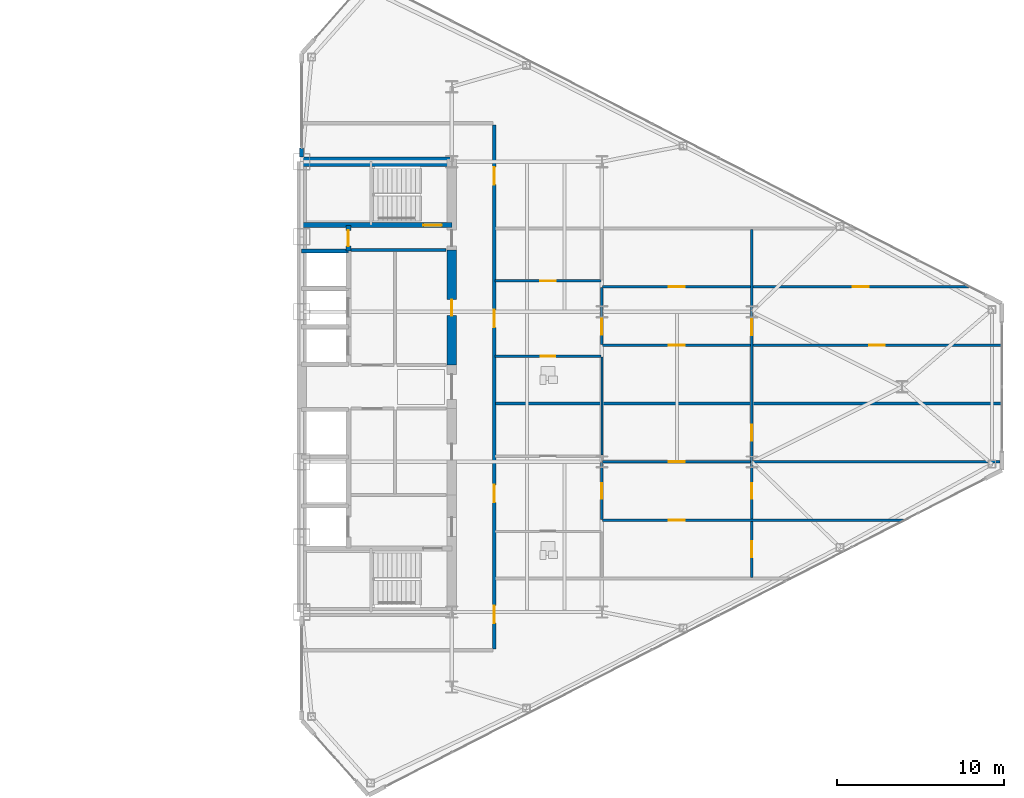
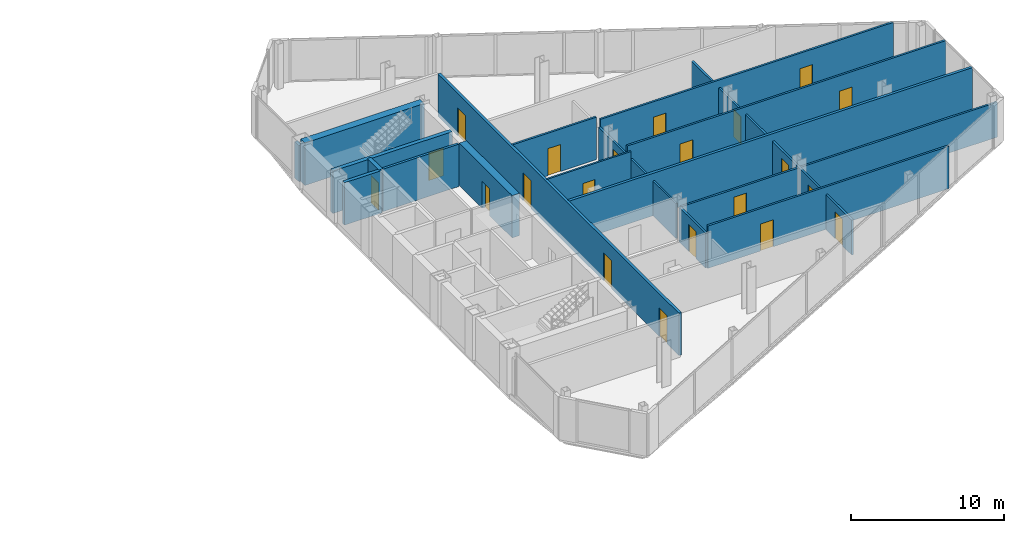
# One storey, part 20 of 24: 21 doors, 19 walls, 21 openings.
"""IFC4 building model written with IfcOpenShell, lengths in metres."""

from ifc_helpers import new_model, si_unit, direction, frame, frame_2d, origin, place, context, subcontext, project, spatial, rectangle, extrude, source, transform, mapped, material, layer, layer_set, type_object, type_shapes, element, fill, save


model = new_model("IFC4")

# Units and contexts
model_context = context("Model", 3, precision=1e-05, world=origin(), true_north=direction((0.0, 1.0)))
body_context = subcontext(model_context, "Body", "Model", "MODEL_VIEW")
ifc_project = project(units=[si_unit("LENGTHUNIT", "METRE"), si_unit("AREAUNIT", "SQUARE_METRE"), si_unit("VOLUMEUNIT", "CUBIC_METRE"), si_unit("PLANEANGLEUNIT", "RADIAN"), si_unit("MASSUNIT", "GRAM", prefix="KILO")], contexts=[model_context])

# Site, building, storey
site_placement = place(None, origin())
site = spatial("IfcSite", under=ifc_project, at=site_placement, CompositionType="ELEMENT")
building_placement = place(site_placement, origin())
building = spatial("IfcBuilding", under=site, at=building_placement, Name="Seokmaru Belvedere", CompositionType="ELEMENT")
storey_placement = place(building_placement, frame((0.0, 0.0, 140.39990234375)))
storey = spatial("IfcBuildingStorey", under=building, at=storey_placement, Name="L37", CompositionType="ELEMENT", Elevation=140.39990234375)

# Wall, opening, door
ifc_material_1 = material(Name="Fire-Rated Gypsum Shaftwall")
ifc_layer_1 = layer(ifc_material_1, 0.14990234375)
ifc_layer_set_1 = layer_set([ifc_layer_1], Name="Fire-Rated Gypsum Shaftwall")
wall_type_1 = type_object("IfcWallType", Name="Apartment Fire-Acoustic Room Partition 150", PredefinedType="PARTITIONING", material=ifc_layer_set_1)
wall_1_placement = place(storey_placement, frame((45.550048828125, -8.0, 0.0), z_axis=(0.0, 0.0, 1.0), x_axis=(1.0, 0.0, 0.0)))
wall_1 = element("IfcWall", 1, at=wall_1_placement, inside=storey, type_object=wall_type_1, Name="L37 Interior Partition 011", PredefinedType="PARTITIONING", context=body_context, shape_type="SweptSolid", body=[
    extrude(rectangle(XDim=18.138916015625, YDim=0.14990234375, at=frame_2d((9.0693359375, 0.0))), origin(), (0.0, 0.0, 1.0), 3.380126953125),
])
opening_1_placement = place(wall_1_placement, frame((3.97509765625, 0.0, 0.0)))
opening_1 = element("IfcOpeningElement", 2, at=opening_1_placement, cuts=wall_1, Name="Opening D05", PredefinedType="OPENING", context=body_context, shape_type="SweptSolid", body=[
    extrude(rectangle(XDim=0.949951171875, YDim=2.14990234375, at=frame_2d((0.47509765625, 1.074951171875))), frame((0.0, 0.0849609375, 0.0), z_axis=(0.0, -1.0, 0.0), x_axis=(1.0, 0.0, 0.0)), (0.0, 0.0, 1.0), 0.169921875),
])
ifc_material_2 = material(Name="Engineered White Oak Timber", Category="wood")
door_type_1 = type_object("IfcDoorType", Name="Apartment Interior Fire-Rated Oak Door 950x2150", OperationType="NOTDEFINED", PredefinedType="DOOR", material=ifc_material_2)
shared_shape_1 = source(origin(), body_context, "Body", "SweptSolid", [
    extrude(rectangle(XDim=0.949951171875, YDim=2.14990234375, at=frame_2d((0.47509765625, 1.074951171875))), frame((0.0, 0.02490234375, 0.0), z_axis=(0.0, -1.0, 0.0), x_axis=(1.0, 0.0, 0.0)), (0.0, 0.0, 1.0), 0.050048828125),
])
type_shapes(door_type_1, [shared_shape_1])
door_1_placement = place(opening_1_placement, origin())
door_1 = element("IfcDoor", 3, at=door_1_placement, inside=storey, type_object=door_type_1, Name="L37 Interior Door 042", OperationType="SINGLE_SWING_RIGHT", OverallHeight=2.14990234375, OverallWidth=0.949951171875, PredefinedType="DOOR", context=body_context, shape_type="MappedRepresentation", body=[
    mapped(shared_shape_1, transform((0.0, 0.0, 0.0), scale=1.0)),
])
fill(opening_1, door_1)

wall_2_placement = place(storey_placement, frame((45.550048828125, -4.5, 0.0), z_axis=(0.0, 0.0, 1.0), x_axis=(1.0, 0.0, 0.0)))
wall_2 = element("IfcWall", 4, at=wall_2_placement, inside=storey, type_object=wall_type_1, Name="L37 Interior Partition 013", PredefinedType="PARTITIONING", context=body_context, shape_type="SweptSolid", body=[
    extrude(rectangle(XDim=23.824951171875, YDim=0.14990234375, at=frame_2d((11.91259765625, 0.0))), origin(), (0.0, 0.0, 1.0), 2.780029296875),
])
opening_2_placement = place(wall_2_placement, frame((3.97509765625, 0.0, 0.0)))
opening_2 = element("IfcOpeningElement", 5, at=opening_2_placement, cuts=wall_2, Name="Opening D05", PredefinedType="OPENING", context=body_context, shape_type="SweptSolid", body=[
    extrude(rectangle(XDim=0.949951171875, YDim=2.14990234375, at=frame_2d((0.47509765625, 1.074951171875))), frame((0.0, 0.0849609375, 0.0), z_axis=(0.0, -1.0, 0.0), x_axis=(1.0, 0.0, 0.0)), (0.0, 0.0, 1.0), 0.169921875),
])
door_2_placement = place(opening_2_placement, origin())
door_2 = element("IfcDoor", 6, at=door_2_placement, inside=storey, type_object=door_type_1, Name="L37 Interior Door 043", OperationType="SINGLE_SWING_LEFT", OverallHeight=2.14990234375, OverallWidth=0.949951171875, PredefinedType="DOOR", context=body_context, shape_type="MappedRepresentation", body=[
    mapped(shared_shape_1, transform((0.0, 0.0, 0.0), scale=1.0)),
])
fill(opening_2, door_2)

# Wall, openings, doors
wall_3_placement = place(storey_placement, frame((45.550048828125, 2.5, 0.0), z_axis=(0.0, 0.0, 1.0), x_axis=(1.0, 0.0, 0.0)))
wall_3 = element("IfcWall", 7, at=wall_3_placement, inside=storey, type_object=wall_type_1, Name="L37 Interior Partition 020", PredefinedType="PARTITIONING", context=body_context, shape_type="SweptSolid", body=[
    extrude(rectangle(XDim=23.98486328125, YDim=0.14990234375, at=frame_2d((11.992431640625, 0.0))), origin(), (0.0, 0.0, 1.0), 3.380126953125),
])
opening_3_placement = place(wall_3_placement, frame((3.97509765625, 0.0, 0.0)))
opening_3 = element("IfcOpeningElement", 8, at=opening_3_placement, cuts=wall_3, Name="Opening D05", PredefinedType="OPENING", context=body_context, shape_type="SweptSolid", body=[
    extrude(rectangle(XDim=0.949951171875, YDim=2.14990234375, at=frame_2d((0.47509765625, 1.074951171875))), frame((0.0, 0.0849609375, 0.0), z_axis=(0.0, -1.0, 0.0), x_axis=(1.0, 0.0, 0.0)), (0.0, 0.0, 1.0), 0.169921875),
])
opening_4_placement = place(wall_3_placement, frame((15.97509765625, 0.0, 0.0)))
opening_4 = element("IfcOpeningElement", 9, at=opening_4_placement, cuts=wall_3, Name="Opening D05", PredefinedType="OPENING", context=body_context, shape_type="SweptSolid", body=[
    extrude(rectangle(XDim=0.949951171875, YDim=2.14990234375, at=frame_2d((0.47509765625, 1.074951171875))), frame((0.0, 0.0849609375, 0.0), z_axis=(0.0, -1.0, 0.0), x_axis=(1.0, 0.0, 0.0)), (0.0, 0.0, 1.0), 0.169921875),
])
door_3_placement = place(opening_3_placement, origin())
door_3 = element("IfcDoor", 10, at=door_3_placement, inside=storey, type_object=door_type_1, Name="L37 Interior Door 051", OperationType="SINGLE_SWING_RIGHT", OverallHeight=2.14990234375, OverallWidth=0.949951171875, PredefinedType="DOOR", context=body_context, shape_type="MappedRepresentation", body=[
    mapped(shared_shape_1, transform((0.0, 0.0, 0.0), scale=1.0)),
])
fill(opening_3, door_3)
door_4_placement = place(opening_4_placement, origin())
door_4 = element("IfcDoor", 11, at=door_4_placement, inside=storey, type_object=door_type_1, Name="L37 Interior Door 053", OperationType="SINGLE_SWING_LEFT", OverallHeight=2.14990234375, OverallWidth=0.949951171875, PredefinedType="DOOR", context=body_context, shape_type="MappedRepresentation", body=[
    mapped(shared_shape_1, transform((0.0, 0.0, 0.0), scale=1.0)),
])
fill(opening_4, door_4)

wall_4_placement = place(storey_placement, frame((45.550048828125, 6.0, 0.0), z_axis=(0.0, 0.0, 1.0), x_axis=(1.0, 0.0, 0.0)))
wall_4 = element("IfcWall", 12, at=wall_4_placement, inside=storey, type_object=wall_type_1, Name="L37 Interior Partition 023", PredefinedType="PARTITIONING", context=body_context, shape_type="SweptSolid", body=[
    extrude(rectangle(XDim=22.035888671875, YDim=0.14990234375, at=frame_2d((11.01806640625, 0.0))), origin(), (0.0, 0.0, 1.0), 3.380126953125),
])
opening_5_placement = place(wall_4_placement, frame((3.97509765625, 0.0, 0.0)))
opening_5 = element("IfcOpeningElement", 13, at=opening_5_placement, cuts=wall_4, Name="Opening D05", PredefinedType="OPENING", context=body_context, shape_type="SweptSolid", body=[
    extrude(rectangle(XDim=0.949951171875, YDim=2.14990234375, at=frame_2d((0.47509765625, 1.074951171875))), frame((0.0, 0.0849609375, 0.0), z_axis=(0.0, -1.0, 0.0), x_axis=(1.0, 0.0, 0.0)), (0.0, 0.0, 1.0), 0.169921875),
])
opening_6_placement = place(wall_4_placement, frame((15.000732421875, 0.0, 0.0)))
opening_6 = element("IfcOpeningElement", 14, at=opening_6_placement, cuts=wall_4, Name="Opening D05", PredefinedType="OPENING", context=body_context, shape_type="SweptSolid", body=[
    extrude(rectangle(XDim=0.949951171875, YDim=2.14990234375, at=frame_2d((0.47509765625, 1.074951171875))), frame((0.0, 0.0849609375, 0.0), z_axis=(0.0, -1.0, 0.0), x_axis=(1.0, 0.0, 0.0)), (0.0, 0.0, 1.0), 0.169921875),
])
door_5_placement = place(opening_5_placement, origin())
door_5 = element("IfcDoor", 15, at=door_5_placement, inside=storey, type_object=door_type_1, Name="L37 Interior Door 052", OperationType="SINGLE_SWING_LEFT", OverallHeight=2.14990234375, OverallWidth=0.949951171875, PredefinedType="DOOR", context=body_context, shape_type="MappedRepresentation", body=[
    mapped(shared_shape_1, transform((0.0, 0.0, 0.0), scale=1.0)),
])
fill(opening_5, door_5)
door_6_placement = place(opening_6_placement, origin())
door_6 = element("IfcDoor", 16, at=door_6_placement, inside=storey, type_object=door_type_1, Name="L37 Interior Door 054", OperationType="SINGLE_SWING_LEFT", OverallHeight=2.14990234375, OverallWidth=0.949951171875, PredefinedType="DOOR", context=body_context, shape_type="MappedRepresentation", body=[
    mapped(shared_shape_1, transform((0.0, 0.0, 0.0), scale=1.0)),
])
fill(opening_6, door_6)

# Wall, opening, door
wall_5_placement = place(storey_placement, frame((39.10009765625, 6.35009765625, 0.0), z_axis=(0.0, 0.0, 1.0), x_axis=(1.0, 0.0, 0.0)))
wall_5 = element("IfcWall", 17, at=wall_5_placement, inside=storey, type_object=wall_type_1, Name="L37 Interior Partition 024", PredefinedType="PARTITIONING", context=body_context, shape_type="SweptSolid", body=[
    extrude(rectangle(XDim=6.349853515625, YDim=0.14990234375, at=frame_2d((3.1748046875, 0.0))), origin(), (0.0, 0.0, 1.0), 3.380126953125),
])
opening_7_placement = place(wall_5_placement, frame((2.699951171875, 0.0, 0.0)))
opening_7 = element("IfcOpeningElement", 18, at=opening_7_placement, cuts=wall_5, Name="Opening D05", PredefinedType="OPENING", context=body_context, shape_type="SweptSolid", body=[
    extrude(rectangle(XDim=0.949951171875, YDim=2.14990234375, at=frame_2d((0.47509765625, 1.074951171875))), frame((0.0, 0.0849609375, 0.0), z_axis=(0.0, -1.0, 0.0), x_axis=(1.0, 0.0, 0.0)), (0.0, 0.0, 1.0), 0.169921875),
])
door_7_placement = place(opening_7_placement, origin())
door_7 = element("IfcDoor", 19, at=door_7_placement, inside=storey, type_object=door_type_1, Name="L37 Interior Door 048", OperationType="SINGLE_SWING_RIGHT", OverallHeight=2.14990234375, OverallWidth=0.949951171875, PredefinedType="DOOR", context=body_context, shape_type="MappedRepresentation", body=[
    mapped(shared_shape_1, transform((0.0, 0.0, 0.0), scale=1.0)),
])
fill(opening_7, door_7)

wall_6_placement = place(storey_placement, frame((45.5, -7.949951171875, 0.0), z_axis=(0.0, 0.0, 1.0), x_axis=(0.0, 1.0, 0.0)))
wall_6 = element("IfcWall", 20, at=wall_6_placement, inside=storey, type_object=wall_type_1, Name="L37 Interior Partition 045", PredefinedType="PARTITIONING", context=body_context, shape_type="SweptSolid", body=[
    extrude(rectangle(XDim=3.39990234375, YDim=0.14990234375, at=frame_2d((1.699951171875, 0.0))), origin(), (0.0, 0.0, 1.0), 2.780029296875),
])
opening_8_placement = place(wall_6_placement, frame((1.22509765625, 0.0, 0.0)))
opening_8 = element("IfcOpeningElement", 21, at=opening_8_placement, cuts=wall_6, Name="Opening D05", PredefinedType="OPENING", context=body_context, shape_type="SweptSolid", body=[
    extrude(rectangle(XDim=0.949951171875, YDim=2.14990234375, at=frame_2d((0.47509765625, 1.074951171875))), frame((0.0, 0.0849609375, 0.0), z_axis=(0.0, -1.0, 0.0), x_axis=(1.0, 0.0, 0.0)), (0.0, 0.0, 1.0), 0.169921875),
])
door_8_placement = place(opening_8_placement, origin())
door_8 = element("IfcDoor", 22, at=door_8_placement, inside=storey, type_object=door_type_1, Name="L37 Interior Door 040", OperationType="SINGLE_SWING_LEFT", OverallHeight=2.14990234375, OverallWidth=0.949951171875, PredefinedType="DOOR", context=body_context, shape_type="MappedRepresentation", body=[
    mapped(shared_shape_1, transform((0.0, 0.0, 0.0), scale=1.0)),
])
fill(opening_8, door_8)

wall_7_placement = place(storey_placement, frame((45.5, 2.550048828125, 0.0), z_axis=(0.0, 0.0, 1.0), x_axis=(0.0, 1.0, 0.0)))
wall_7 = element("IfcWall", 23, at=wall_7_placement, inside=storey, type_object=wall_type_1, Name="L37 Interior Partition 047", PredefinedType="PARTITIONING", context=body_context, shape_type="SweptSolid", body=[
    extrude(rectangle(XDim=3.39990234375, YDim=0.14990234375, at=frame_2d((1.699951171875, 0.0))), origin(), (0.0, 0.0, 1.0), 2.780029296875),
])
opening_9_placement = place(wall_7_placement, frame((0.5859375, 0.0, 0.0)))
opening_9 = element("IfcOpeningElement", 24, at=opening_9_placement, cuts=wall_7, Name="Opening D05", PredefinedType="OPENING", context=body_context, shape_type="SweptSolid", body=[
    extrude(rectangle(XDim=0.949951171875, YDim=2.14990234375, at=frame_2d((0.47509765625, 1.074951171875))), frame((0.0, 0.0849609375, 0.0), z_axis=(0.0, -1.0, 0.0), x_axis=(1.0, 0.0, 0.0)), (0.0, 0.0, 1.0), 0.169921875),
])
door_9_placement = place(opening_9_placement, origin())
door_9 = element("IfcDoor", 25, at=door_9_placement, inside=storey, type_object=door_type_1, Name="L37 Interior Door 049", OperationType="SINGLE_SWING_LEFT", OverallHeight=2.14990234375, OverallWidth=0.949951171875, PredefinedType="DOOR", context=body_context, shape_type="MappedRepresentation", body=[
    mapped(shared_shape_1, transform((0.0, 0.0, 0.0), scale=1.0)),
])
fill(opening_9, door_9)

# Wall, openings, doors
wall_8_placement = place(storey_placement, frame((54.5, -11.449951171875, 0.0), z_axis=(0.0, 0.0, 1.0), x_axis=(0.0, 1.0, 0.0)))
wall_8 = element("IfcWall", 26, at=wall_8_placement, inside=storey, type_object=wall_type_1, Name="L37 Interior Partition 049", PredefinedType="PARTITIONING", context=body_context, shape_type="SweptSolid", body=[
    extrude(rectangle(XDim=20.89990234375, YDim=0.14990234375, at=frame_2d((10.449951171875, 0.0))), origin(), (0.0, 0.0, 1.0), 2.780029296875),
])
opening_10_placement = place(wall_8_placement, frame((4.72509765625, 0.0, 0.0)))
opening_10 = element("IfcOpeningElement", 27, at=opening_10_placement, cuts=wall_8, Name="Opening D05", PredefinedType="OPENING", context=body_context, shape_type="SweptSolid", body=[
    extrude(rectangle(XDim=0.949951171875, YDim=2.14990234375, at=frame_2d((0.47509765625, 1.074951171875))), frame((0.0, 0.0849609375, 0.0), z_axis=(0.0, -1.0, 0.0), x_axis=(1.0, 0.0, 0.0)), (0.0, 0.0, 1.0), 0.169921875),
])
opening_11_placement = place(wall_8_placement, frame((1.22509765625, 0.0, 0.0)))
opening_11 = element("IfcOpeningElement", 28, at=opening_11_placement, cuts=wall_8, Name="Opening D05", PredefinedType="OPENING", context=body_context, shape_type="SweptSolid", body=[
    extrude(rectangle(XDim=0.949951171875, YDim=2.14990234375, at=frame_2d((0.47509765625, 1.074951171875))), frame((0.0, 0.0849609375, 0.0), z_axis=(0.0, -1.0, 0.0), x_axis=(1.0, 0.0, 0.0)), (0.0, 0.0, 1.0), 0.169921875),
])
opening_12_placement = place(wall_8_placement, frame((8.22509765625, 0.0, 0.0)))
opening_12 = element("IfcOpeningElement", 29, at=opening_12_placement, cuts=wall_8, Name="Opening D05", PredefinedType="OPENING", context=body_context, shape_type="SweptSolid", body=[
    extrude(rectangle(XDim=0.949951171875, YDim=2.14990234375, at=frame_2d((0.47509765625, 1.074951171875))), frame((0.0, 0.0849609375, 0.0), z_axis=(0.0, -1.0, 0.0), x_axis=(1.0, 0.0, 0.0)), (0.0, 0.0, 1.0), 0.169921875),
])
opening_13_placement = place(wall_8_placement, frame((14.55224609375, 0.0, 0.0)))
opening_13 = element("IfcOpeningElement", 30, at=opening_13_placement, cuts=wall_8, Name="Opening D05", PredefinedType="OPENING", context=body_context, shape_type="SweptSolid", body=[
    extrude(rectangle(XDim=0.949951171875, YDim=2.14990234375, at=frame_2d((0.47509765625, 1.074951171875))), frame((0.0, 0.0849609375, 0.0), z_axis=(0.0, -1.0, 0.0), x_axis=(1.0, 0.0, 0.0)), (0.0, 0.0, 1.0), 0.169921875),
])
door_10_placement = place(opening_10_placement, origin())
door_10 = element("IfcDoor", 31, at=door_10_placement, inside=storey, type_object=door_type_1, Name="L37 Interior Door 041", OperationType="SINGLE_SWING_RIGHT", OverallHeight=2.14990234375, OverallWidth=0.949951171875, PredefinedType="DOOR", context=body_context, shape_type="MappedRepresentation", body=[
    mapped(shared_shape_1, transform((0.0, 0.0, 0.0), scale=1.0)),
])
fill(opening_10, door_10)
door_11_placement = place(opening_11_placement, origin())
door_11 = element("IfcDoor", 32, at=door_11_placement, inside=storey, type_object=door_type_1, Name="L37 Interior Door 044", OperationType="SINGLE_SWING_LEFT", OverallHeight=2.14990234375, OverallWidth=0.949951171875, PredefinedType="DOOR", context=body_context, shape_type="MappedRepresentation", body=[
    mapped(shared_shape_1, transform((0.0, 0.0, 0.0), scale=1.0)),
])
fill(opening_11, door_11)
door_12_placement = place(opening_12_placement, origin())
door_12 = element("IfcDoor", 33, at=door_12_placement, inside=storey, type_object=door_type_1, Name="L37 Interior Door 045", OperationType="SINGLE_SWING_RIGHT", OverallHeight=2.14990234375, OverallWidth=0.949951171875, PredefinedType="DOOR", context=body_context, shape_type="MappedRepresentation", body=[
    mapped(shared_shape_1, transform((0.0, 0.0, 0.0), scale=1.0)),
])
fill(opening_12, door_12)
door_13_placement = place(opening_13_placement, origin())
door_13 = element("IfcDoor", 34, at=door_13_placement, inside=storey, type_object=door_type_1, Name="L37 Interior Door 050", OperationType="SINGLE_SWING_RIGHT", OverallHeight=2.14990234375, OverallWidth=0.949951171875, PredefinedType="DOOR", context=body_context, shape_type="MappedRepresentation", body=[
    mapped(shared_shape_1, transform((0.0, 0.0, 0.0), scale=1.0)),
])
fill(opening_13, door_13)

# Walls
ifc_layer_2 = layer(ifc_material_1, 0.179931640625)
ifc_layer_set_2 = layer_set([ifc_layer_2], Name="Fire-Rated Gypsum Shaftwall")
wall_type_2 = type_object("IfcWallType", Name="Core Service Fire Partition 180", PredefinedType="PARTITIONING", material=ifc_layer_set_2)
wall_9_placement = place(storey_placement, frame((30.449951171875, 8.199951171875, 0.0), z_axis=(0.0, 0.0, 1.0), x_axis=(1.0, 0.0, 0.0)))
element("IfcWall", 35, at=wall_9_placement, inside=storey, type_object=wall_type_2, Name="L37 East Smokeproof Vestibule Partition", PredefinedType="PARTITIONING", context=body_context, shape_type="SweptSolid", body=[
    extrude(rectangle(XDim=5.699951171875, YDim=0.179931640625, at=frame_2d((2.85009765625, 0.0))), origin(), (0.0, 0.0, 1.0), 3.380126953125),
])
ifc_material_3 = material(Name="Concrete C50 (50 MPa)", Category="concrete")
ifc_layer_3 = layer(ifc_material_3, 0.25)
ifc_layer_set_3 = layer_set([ifc_layer_3], Name="Concrete C50 (50 MPa)")
wall_type_3 = type_object("IfcWallType", Name="Hoistway Transverse Concrete Divider Wall 250", PredefinedType="SHEAR", material=ifc_layer_set_3)
wall_10_placement = place(storey_placement, frame((27.5, 8.14990234375, 0.0), z_axis=(0.0, 0.0, 1.0), x_axis=(1.0, 0.0, 0.0)))
element("IfcWall", 36, at=wall_10_placement, inside=storey, type_object=wall_type_3, Name="L37 East Hoistway Divider Core Wall 7", PredefinedType="SHEAR", context=body_context, shape_type="SweptSolid", body=[
    extrude(rectangle(XDim=2.800048828125, YDim=0.25, at=frame_2d((1.39990234375, 0.0))), origin(), (0.0, 0.0, 1.0), 3.380126953125),
])
ifc_layer_4 = layer(ifc_material_1, 0.199951171875)
ifc_layer_set_4 = layer_set([ifc_layer_4], Name="Fire-Rated Gypsum Shaftwall")
wall_type_4 = type_object("IfcWallType", Name="Inter-Tenancy Fire Compartment Partition 200", PredefinedType="PARTITIONING", material=ifc_layer_set_4)
wall_11_placement = place(storey_placement, frame((39.1298828125, -1.0, 0.0), z_axis=(0.0, 0.0, 1.0), x_axis=(1.0, 0.0, 0.0)))
element("IfcWall", 37, at=wall_11_placement, inside=storey, type_object=wall_type_4, Name="L37 Interior Partition 017", PredefinedType="PARTITIONING", context=body_context, shape_type="SweptSolid", body=[
    extrude(rectangle(XDim=30.375, YDim=0.199951171875, at=frame_2d((15.1875, 0.0))), origin(), (0.0, 0.0, 1.0), 3.380126953125),
])

# Wall, openings, doors
wall_12_placement = place(storey_placement, frame((39.050048828125, -15.715087890625, 0.0), z_axis=(0.0, 0.0, 1.0), x_axis=(0.0, 1.0, 0.0)))
wall_12 = element("IfcWall", 38, at=wall_12_placement, inside=storey, type_object=wall_type_4, Name="L37 Interior Partition 043", PredefinedType="PARTITIONING", context=body_context, shape_type="SweptSolid", body=[
    extrude(rectangle(XDim=31.43017578125, YDim=0.199951171875, at=frame_2d((15.715087890625, 0.0))), origin(), (0.0, 0.0, 1.0), 3.380126953125),
])
opening_14_placement = place(wall_12_placement, frame((1.5400390625, 0.0, 0.0)))
opening_14 = element("IfcOpeningElement", 39, at=opening_14_placement, cuts=wall_12, Name="Opening D03", PredefinedType="OPENING", context=body_context, shape_type="SweptSolid", body=[
    extrude(rectangle(XDim=1.050048828125, YDim=2.25, at=frame_2d((0.52490234375, 1.125))), frame((0.0, 0.10986328125, 0.0), z_axis=(0.0, -1.0, 0.0), x_axis=(1.0, 0.0, 0.0)), (0.0, 0.0, 1.0), 0.219970703125),
])
opening_15_placement = place(wall_12_placement, frame((8.782470703125, 0.0, 0.0)))
opening_15 = element("IfcOpeningElement", 40, at=opening_15_placement, cuts=wall_12, Name="Opening D03", PredefinedType="OPENING", context=body_context, shape_type="SweptSolid", body=[
    extrude(rectangle(XDim=1.050048828125, YDim=2.25, at=frame_2d((0.52490234375, 1.125))), frame((0.0, 0.10986328125, 0.0), z_axis=(0.0, -1.0, 0.0), x_axis=(1.0, 0.0, 0.0)), (0.0, 0.0, 1.0), 0.219970703125),
])
opening_16_placement = place(wall_12_placement, frame((19.282470703125, 0.0, 0.0)))
opening_16 = element("IfcOpeningElement", 41, at=opening_16_placement, cuts=wall_12, Name="Opening D03", PredefinedType="OPENING", context=body_context, shape_type="SweptSolid", body=[
    extrude(rectangle(XDim=1.050048828125, YDim=2.25, at=frame_2d((0.52490234375, 1.125))), frame((0.0, 0.10986328125, 0.0), z_axis=(0.0, -1.0, 0.0), x_axis=(1.0, 0.0, 0.0)), (0.0, 0.0, 1.0), 0.219970703125),
])
opening_17_placement = place(wall_12_placement, frame((27.840087890625, 0.0, 0.0)))
opening_17 = element("IfcOpeningElement", 42, at=opening_17_placement, cuts=wall_12, Name="Opening D03", PredefinedType="OPENING", context=body_context, shape_type="SweptSolid", body=[
    extrude(rectangle(XDim=1.050048828125, YDim=2.25, at=frame_2d((0.52490234375, 1.125))), frame((0.0, 0.10986328125, 0.0), z_axis=(0.0, -1.0, 0.0), x_axis=(1.0, 0.0, 0.0)), (0.0, 0.0, 1.0), 0.219970703125),
])
ifc_material_4 = material(Name="Fire-Rated Steel Leaf", Category="steel")
door_type_2 = type_object("IfcDoorType", Name="Apartment Entrance Fire Door 1050x2250", OperationType="NOTDEFINED", PredefinedType="DOOR", material=ifc_material_4)
shared_shape_2 = source(origin(), body_context, "Body", "SweptSolid", [
    extrude(rectangle(XDim=1.050048828125, YDim=2.25, at=frame_2d((0.52490234375, 1.125))), frame((0.0, 0.02490234375, 0.0), z_axis=(0.0, -1.0, 0.0), x_axis=(1.0, 0.0, 0.0)), (0.0, 0.0, 1.0), 0.050048828125),
])
type_shapes(door_type_2, [shared_shape_2])
door_14_placement = place(opening_14_placement, origin())
door_14 = element("IfcDoor", 43, at=door_14_placement, inside=storey, type_object=door_type_2, Name="L37 Interior Door 036", OperationType="SINGLE_SWING_LEFT", OverallHeight=2.25, OverallWidth=1.050048828125, PredefinedType="DOOR", context=body_context, shape_type="MappedRepresentation", body=[
    mapped(shared_shape_2, transform((0.0, 0.0, 0.0), scale=1.0)),
])
fill(opening_14, door_14)
door_15_placement = place(opening_15_placement, origin())
door_15 = element("IfcDoor", 44, at=door_15_placement, inside=storey, type_object=door_type_2, Name="L37 Interior Door 037", OperationType="SINGLE_SWING_RIGHT", OverallHeight=2.25, OverallWidth=1.050048828125, PredefinedType="DOOR", context=body_context, shape_type="MappedRepresentation", body=[
    mapped(shared_shape_2, transform((0.0, 0.0, 0.0), scale=1.0)),
])
fill(opening_15, door_15)
door_16_placement = place(opening_16_placement, origin())
door_16 = element("IfcDoor", 45, at=door_16_placement, inside=storey, type_object=door_type_2, Name="L37 Interior Door 046", OperationType="SINGLE_SWING_LEFT", OverallHeight=2.25, OverallWidth=1.050048828125, PredefinedType="DOOR", context=body_context, shape_type="MappedRepresentation", body=[
    mapped(shared_shape_2, transform((0.0, 0.0, 0.0), scale=1.0)),
])
fill(opening_16, door_16)
door_17_placement = place(opening_17_placement, origin())
door_17 = element("IfcDoor", 46, at=door_17_placement, inside=storey, type_object=door_type_2, Name="L37 Interior Door 055", OperationType="SINGLE_SWING_RIGHT", OverallHeight=2.25, OverallWidth=1.050048828125, PredefinedType="DOOR", context=body_context, shape_type="MappedRepresentation", body=[
    mapped(shared_shape_2, transform((0.0, 0.0, 0.0), scale=1.0)),
])
fill(opening_17, door_17)

# Wall, opening, door
ifc_layer_5 = layer(ifc_material_3, 0.300048828125)
ifc_layer_set_5 = layer_set([ifc_layer_5], Name="Concrete C50 (50 MPa)")
wall_type_5 = type_object("IfcWallType", Name="Internal Core Stair and Hoistway Wall 300", PredefinedType="SHEAR", material=ifc_layer_set_5)
wall_13_placement = place(storey_placement, frame((27.5, 9.699951171875, 0.0), z_axis=(0.0, 0.0, 1.0), x_axis=(1.0, 0.0, 0.0)))
wall_13 = element("IfcWall", 47, at=wall_13_placement, inside=storey, type_object=wall_type_5, Name="L37 East Stair ST-2 Enclosure Wall", PredefinedType="SHEAR", context=body_context, shape_type="SweptSolid", body=[
    extrude(rectangle(XDim=9.0, YDim=0.300048828125, at=frame_2d((4.5, 0.0))), origin(), (0.0, 0.0, 1.0), 3.380126953125),
])
opening_18_placement = place(wall_13_placement, frame((7.300048828125, 0.0, 0.0)))
opening_18 = element("IfcOpeningElement", 48, at=opening_18_placement, cuts=wall_13, Name="Opening D01", PredefinedType="OPENING", context=body_context, shape_type="SweptSolid", body=[
    extrude(rectangle(XDim=1.10009765625, YDim=2.199951171875, at=frame_2d((0.550048828125, 1.10009765625))), frame((0.0, 0.16015625, 0.0), z_axis=(0.0, -1.0, 0.0), x_axis=(1.0, 0.0, 0.0)), (0.0, 0.0, 1.0), 0.320068359375),
])
door_type_3 = type_object("IfcDoorType", Name="Special Escape Stair Smokeproof Fire Door 1100x2200", OperationType="NOTDEFINED", PredefinedType="DOOR", material=ifc_material_4)
shared_shape_3 = source(origin(), body_context, "Body", "SweptSolid", [
    extrude(rectangle(XDim=1.10009765625, YDim=2.199951171875, at=frame_2d((0.550048828125, 1.10009765625))), frame((0.0, 0.02490234375, 0.0), z_axis=(0.0, -1.0, 0.0), x_axis=(1.0, 0.0, 0.0)), (0.0, 0.0, 1.0), 0.050048828125),
])
type_shapes(door_type_3, [shared_shape_3])
door_18_placement = place(opening_18_placement, origin())
door_18 = element("IfcDoor", 49, at=door_18_placement, inside=storey, type_object=door_type_3, Name="L37 East Special Escape Stair ST-2 Door", OperationType="SINGLE_SWING_LEFT", OverallHeight=2.199951171875, OverallWidth=1.10009765625, PredefinedType="DOOR", context=body_context, shape_type="MappedRepresentation", body=[
    mapped(shared_shape_3, transform((0.0, 0.0, 0.0), scale=1.0)),
])
fill(opening_18, door_18)

wall_14_placement = place(storey_placement, frame((30.300048828125, 8.14990234375, 0.0), z_axis=(0.0, 0.0, 1.0), x_axis=(0.0, 1.0, 0.0)))
wall_14 = element("IfcWall", 50, at=wall_14_placement, inside=storey, type_object=wall_type_5, Name="L37 East Electrical Riser Front Wall", PredefinedType="SHEAR", context=body_context, shape_type="SweptSolid", body=[
    extrude(rectangle(XDim=1.530029296875, YDim=0.300048828125, at=frame_2d((0.76513671875, 0.0))), origin(), (0.0, 0.0, 1.0), 3.380126953125),
])
opening_19_placement = place(wall_14_placement, frame((0.284912109375, 0.0, 0.0)))
opening_19 = element("IfcOpeningElement", 51, at=opening_19_placement, cuts=wall_14, Name="Opening D04", PredefinedType="OPENING", context=body_context, shape_type="SweptSolid", body=[
    extrude(rectangle(XDim=0.949951171875, YDim=2.14990234375, at=frame_2d((0.47509765625, 1.074951171875))), frame((0.0, 0.16015625, 0.0), z_axis=(0.0, -1.0, 0.0), x_axis=(1.0, 0.0, 0.0)), (0.0, 0.0, 1.0), 0.320068359375),
])
door_type_4 = type_object("IfcDoorType", Name="Core Service Room Fire Door 950x2150", OperationType="NOTDEFINED", PredefinedType="DOOR", material=ifc_material_4)
shared_shape_4 = source(origin(), body_context, "Body", "SweptSolid", [
    extrude(rectangle(XDim=0.949951171875, YDim=2.14990234375, at=frame_2d((0.47509765625, 1.074951171875))), frame((0.0, 0.02490234375, 0.0), z_axis=(0.0, -1.0, 0.0), x_axis=(1.0, 0.0, 0.0)), (0.0, 0.0, 1.0), 0.050048828125),
])
type_shapes(door_type_4, [shared_shape_4])
door_19_placement = place(opening_19_placement, origin())
door_19 = element("IfcDoor", 52, at=door_19_placement, inside=storey, type_object=door_type_4, Name="L37 East Electrical Riser Access Door", OperationType="SINGLE_SWING_RIGHT", OverallHeight=2.14990234375, OverallWidth=0.949951171875, PredefinedType="DOOR", context=body_context, shape_type="MappedRepresentation", body=[
    mapped(shared_shape_4, transform((0.0, 0.0, 0.0), scale=1.0)),
])
fill(opening_19, door_19)

# Wall
ifc_layer_6 = layer(ifc_material_3, 0.550048828125)
ifc_layer_set_6 = layer_set([ifc_layer_6], Name="Concrete C50 (50 MPa)")
wall_type_6 = type_object("IfcWallType", Name="Mid-High Reinforced Concrete Core Wall 550", PredefinedType="SHEAR", material=ifc_layer_set_6)
wall_15_placement = place(storey_placement, frame((27.5, 13.5, 0.0), z_axis=(0.0, 0.0, 1.0), x_axis=(1.0, 0.0, 0.0)))
element("IfcWall", 53, at=wall_15_placement, inside=storey, type_object=wall_type_6, Name="L37 East North Core Wall", PredefinedType="SHEAR", context=body_context, shape_type="SweptSolid", body=[
    extrude(rectangle(XDim=9.0, YDim=0.550048828125, at=frame_2d((4.5, 0.0))), origin(), (0.0, 0.0, 1.0), 3.380126953125),
])

# Wall, opening, door
wall_16_placement = place(storey_placement, frame((36.5, 1.300048828125, 0.0), z_axis=(0.0, 0.0, 1.0), x_axis=(0.0, 1.0, 0.0)))
wall_16 = element("IfcWall", 54, at=wall_16_placement, inside=storey, type_object=wall_type_6, Name="L37 East West Core Wall CS2", PredefinedType="SHEAR", context=body_context, shape_type="SweptSolid", body=[
    extrude(rectangle(XDim=6.89990234375, YDim=0.550048828125, at=frame_2d((3.449951171875, 0.0))), origin(), (0.0, 0.0, 1.0), 3.380126953125),
])
opening_20_placement = place(wall_16_placement, frame((2.97509765625, 0.0, 0.0)))
opening_20 = element("IfcOpeningElement", 55, at=opening_20_placement, cuts=wall_16, Name="Opening D04", PredefinedType="OPENING", context=body_context, shape_type="SweptSolid", body=[
    extrude(rectangle(XDim=0.949951171875, YDim=2.14990234375, at=frame_2d((0.47509765625, 1.074951171875))), frame((0.0, 0.28515625, 0.0), z_axis=(0.0, -1.0, 0.0), x_axis=(1.0, 0.0, 0.0)), (0.0, 0.0, 1.0), 0.570068359375),
])
door_20_placement = place(opening_20_placement, origin())
door_20 = element("IfcDoor", 56, at=door_20_placement, inside=storey, type_object=door_type_4, Name="L37 East Core Service Room Door 2", OperationType="SINGLE_SWING_LEFT", OverallHeight=2.14990234375, OverallWidth=0.949951171875, PredefinedType="DOOR", context=body_context, shape_type="MappedRepresentation", body=[
    mapped(shared_shape_4, transform((0.0, 0.0, 0.0), scale=1.0)),
])
fill(opening_20, door_20)

ifc_layer_7 = layer(ifc_material_1, 0.1298828125)
ifc_layer_set_7 = layer_set([ifc_layer_7], Name="Fire-Rated Gypsum Shaftwall")
wall_type_7 = type_object("IfcWallType", Name="Moisture-Resistant Fire-Rated Bathroom Partition 130", PredefinedType="PARTITIONING", material=ifc_layer_set_7)
wall_17_placement = place(storey_placement, frame((39.10009765625, 1.830078125, 0.0), z_axis=(0.0, 0.0, 1.0), x_axis=(1.0, 0.0, 0.0)))
wall_17 = element("IfcWall", 57, at=wall_17_placement, inside=storey, type_object=wall_type_7, Name="L37 Interior Partition 019", PredefinedType="PARTITIONING", context=body_context, shape_type="SweptSolid", body=[
    extrude(rectangle(XDim=6.349853515625, YDim=0.1298828125, at=frame_2d((3.1748046875, 0.0))), origin(), (0.0, 0.0, 1.0), 3.380126953125),
])
opening_21_placement = place(wall_17_placement, frame((2.735107421875, 0.0, 0.0)))
opening_21 = element("IfcOpeningElement", 58, at=opening_21_placement, cuts=wall_17, Name="Opening D06", PredefinedType="OPENING", context=body_context, shape_type="SweptSolid", body=[
    extrude(rectangle(XDim=0.8798828125, YDim=2.10009765625, at=frame_2d((0.43994140625, 1.050048828125))), frame((0.0, 0.074951171875, 0.0), z_axis=(0.0, -1.0, 0.0), x_axis=(1.0, 0.0, 0.0)), (0.0, 0.0, 1.0), 0.14990234375),
])
door_type_5 = type_object("IfcDoorType", Name="Bathroom and Restroom Fire-Rated Door 880x2100", OperationType="NOTDEFINED", PredefinedType="DOOR", material=ifc_material_2)
shared_shape_5 = source(origin(), body_context, "Body", "SweptSolid", [
    extrude(rectangle(XDim=0.8798828125, YDim=2.10009765625, at=frame_2d((0.43994140625, 1.050048828125))), frame((0.0, 0.02490234375, 0.0), z_axis=(0.0, -1.0, 0.0), x_axis=(1.0, 0.0, 0.0)), (0.0, 0.0, 1.0), 0.050048828125),
])
type_shapes(door_type_5, [shared_shape_5])
door_21_placement = place(opening_21_placement, origin())
door_21 = element("IfcDoor", 59, at=door_21_placement, inside=storey, type_object=door_type_5, Name="L37 Interior Door 047", OperationType="SINGLE_SWING_RIGHT", OverallHeight=2.10009765625, OverallWidth=0.8798828125, PredefinedType="DOOR", context=body_context, shape_type="MappedRepresentation", body=[
    mapped(shared_shape_5, transform((0.0, 0.0, 0.0), scale=1.0)),
])
fill(opening_21, door_21)

# Walls
wall_18_placement = place(storey_placement, frame((45.5, -4.097900390625, 0.0), z_axis=(0.0, 0.0, 1.0), x_axis=(0.0, 1.0, 0.0)))
element("IfcWall", 60, at=wall_18_placement, inside=storey, type_object=wall_type_7, Name="L37 Interior Partition 046", PredefinedType="PARTITIONING", context=body_context, shape_type="SweptSolid", body=[
    extrude(rectangle(XDim=5.880859375, YDim=0.1298828125, at=frame_2d((2.9404296875, 0.0))), origin(), (0.0, 0.0, 1.0), 2.780029296875),
])
ifc_material_5 = material(Name="Anodised Bronze Aluminium", Category="aluminium")
ifc_layer_8 = layer(ifc_material_5, 0.239990234375)
ifc_layer_set_8 = layer_set([ifc_layer_8], Name="Anodised Bronze Aluminium")
wall_type_8 = type_object("IfcWallType", Name="Tower Corner Spandrel Closure Wall 240", PredefinedType="SOLIDWALL", material=ifc_layer_set_8)
wall_19_placement = place(storey_placement, frame((27.5, 13.780029296875, 0.0), z_axis=(0.0, 0.0, 1.0), x_axis=(0.0, 1.0, 0.0)))
element("IfcWall", 61, at=wall_19_placement, inside=storey, type_object=wall_type_8, Name="L37 E Spine Closure Pier 2A", PredefinedType="SOLIDWALL", context=body_context, shape_type="SweptSolid", body=[
    extrude(rectangle(XDim=0.550048828125, YDim=0.239990234375, at=frame_2d((0.27490234375, 0.0))), origin(), (0.0, 0.0, 1.0), 2.880126953125),
])

save(model, "model.ifc")
